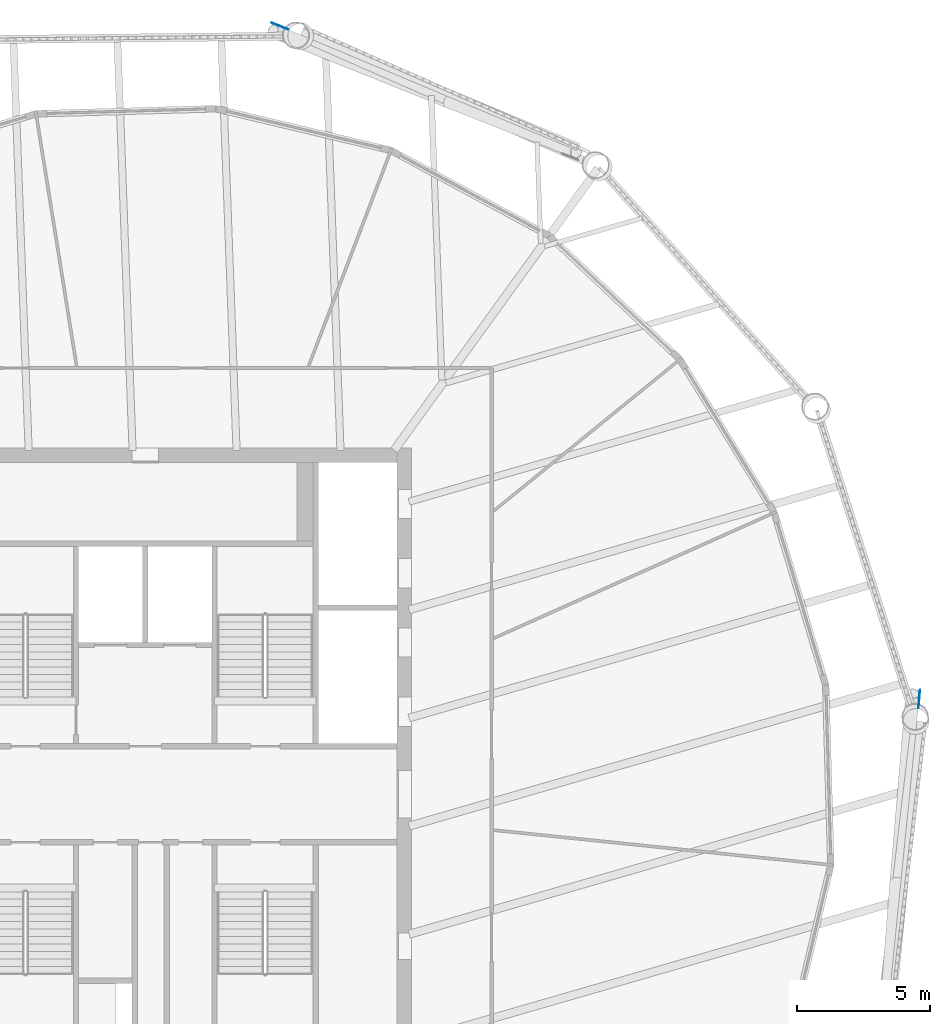
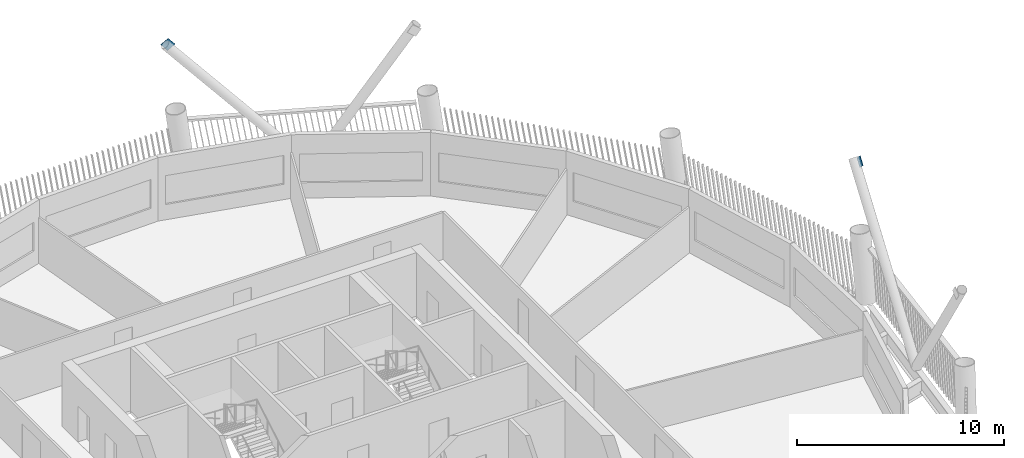
# One storey, part 8 of 20: 2 discrete accessories.
"""IFC4 building model written with IfcOpenShell, lengths in metres."""

from ifc_helpers import new_model, si_unit, direction, frame, origin, origin_2d, place, context, subcontext, project, spatial, rectangle, extrude, material, material_profile, profile_set, type_object, element, save


model = new_model("IFC4")

# Units and contexts
model_context = context("Model", 3, precision=1e-05, world=origin(), true_north=direction((0.0, 1.0)))
body_context = subcontext(model_context, "Body", "Model", "MODEL_VIEW")
ifc_project = project(units=[si_unit("LENGTHUNIT", "METRE"), si_unit("AREAUNIT", "SQUARE_METRE"), si_unit("VOLUMEUNIT", "CUBIC_METRE"), si_unit("PLANEANGLEUNIT", "RADIAN"), si_unit("MASSUNIT", "GRAM", prefix="KILO")], contexts=[model_context])

# Site, building, storey
site_placement = place(None, origin())
site = spatial("IfcSite", under=ifc_project, at=site_placement, CompositionType="ELEMENT")
building_placement = place(site_placement, origin())
building = spatial("IfcBuilding", under=site, at=building_placement, Name="Tarsis Ring Headquarters", CompositionType="ELEMENT")
storey_placement = place(building_placement, frame((0.0, 0.0, 294.199951171875)))
storey = spatial("IfcBuildingStorey", under=building, at=storey_placement, Name="L69", CompositionType="ELEMENT", Elevation=294.199951171875)

# Discrete accessories
ifc_material = material(Name="Structural steel S355", Category="steel")
ifc_material_profile = material_profile(ifc_material, rectangle(XDim=0.02490234375, YDim=0.5, at=origin_2d()), Name="PL 25x500")
ifc_profile_set = profile_set([ifc_material_profile], Name="Structural steel S355")
discrete_accessory_type = type_object("IfcDiscreteAccessoryType", Name="Gusset plate Exo brace 25", PredefinedType="BRACKET", material=ifc_profile_set)
for number, where, z_axis, x_axis, name in (
    (1, (29.067138671875, 3.756591796875, 7.800048828125), (-0.056632814449, -0.672758778544, -0.737691229594), (0.996475586424, -0.08388328594, 0.0), "Gusset plate GP5"),
    (2, (4.89208984375, 28.897705078125, 7.800048828125), (0.626905148303, -0.25046911299, -0.737736510191), (0.371016562159, 0.928626249146, 0.0), "Gusset plate GP5"),
):
    element("IfcDiscreteAccessory", number, at=place(storey_placement, frame(where, z_axis=z_axis, x_axis=x_axis)), inside=storey, type_object=discrete_accessory_type, Name=name, PredefinedType="BRACKET", context=body_context, shape_type="SweptSolid", body=[
        extrude(rectangle(XDim=0.02490234375, YDim=0.5, at=origin_2d()), origin(), (0.0, 0.0, 1.0), 0.5),
    ])

save(model, "model.ifc")
